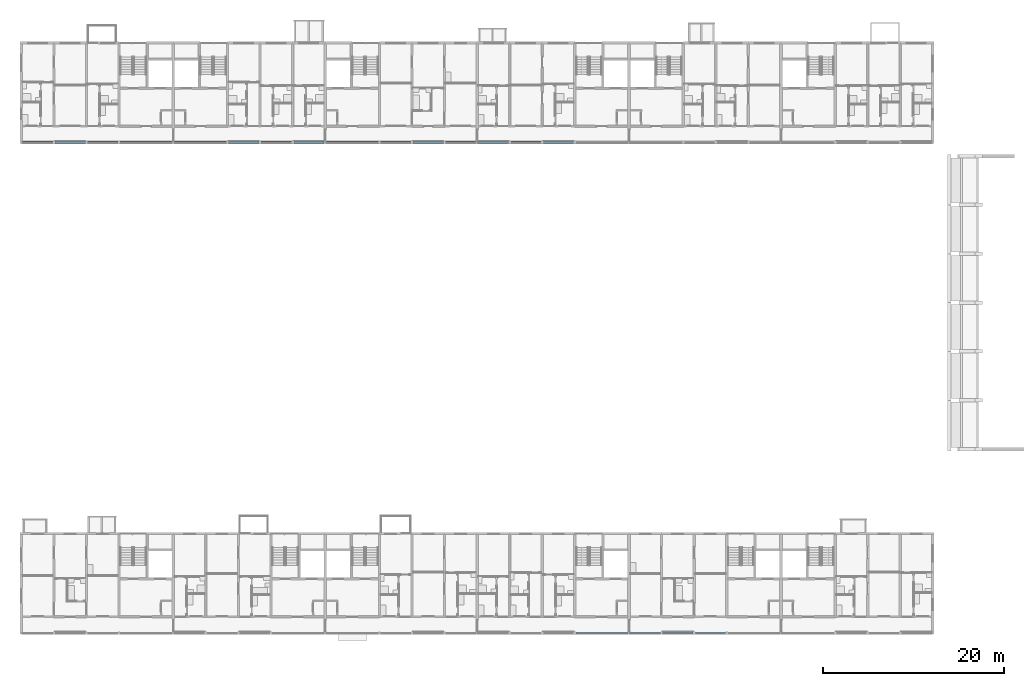
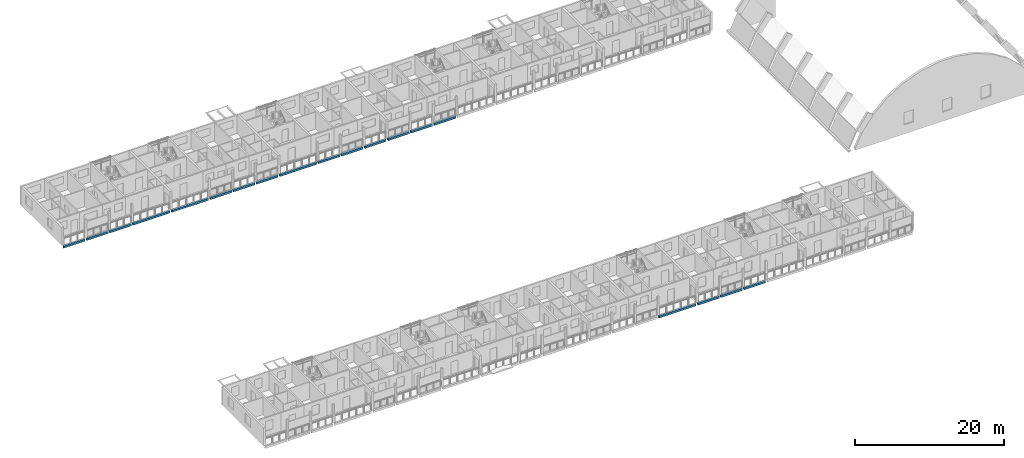
# One storey, part 8 of 100: 19 beams.
"""IFC4 building model written with IfcOpenShell, lengths in metres."""

from ifc_helpers import new_model, si_unit, direction, frame, origin, origin_2d, place, context, subcontext, project, spatial, rectangle, extrude, material, material_profile, profile_set, type_object, element, save


model = new_model("IFC4")

# Units and contexts
model_context = context("Model", 3, precision=1e-05, world=origin(), true_north=direction((0.0, 1.0)))
body_context = subcontext(model_context, "Body", "Model", "MODEL_VIEW")
ifc_project = project(units=[si_unit("LENGTHUNIT", "METRE"), si_unit("AREAUNIT", "SQUARE_METRE"), si_unit("VOLUMEUNIT", "CUBIC_METRE"), si_unit("PLANEANGLEUNIT", "RADIAN"), si_unit("MASSUNIT", "GRAM", prefix="KILO")], contexts=[model_context])

# Site, building, storey
site_placement = place(None, origin())
site = spatial("IfcSite", under=ifc_project, at=site_placement, CompositionType="ELEMENT")
building_placement = place(site_placement, origin())
building = spatial("IfcBuilding", under=site, at=building_placement, Name="Ridgestep Commons", CompositionType="ELEMENT")
storey_placement = place(building_placement, frame((0.0, 0.0, 9.0)))
storey = spatial("IfcBuildingStorey", under=building, at=storey_placement, Name="L03", CompositionType="ELEMENT", Elevation=9.0)

# Beams
ifc_material = material(Name="Precast concrete C40/50", Category="concrete")
ifc_material_profile = material_profile(ifc_material, rectangle(XDim=0.25, YDim=0.35009765625, at=origin_2d()), Name="PC 250x350")
ifc_profile_set = profile_set([ifc_material_profile], Name="Precast concrete C40/50")
beam_type = type_object("IfcBeamType", Name="Loggia edge beam 250 x 350", PredefinedType="SPANDREL", material=ifc_profile_set)
beam_1_placement = place(storey_placement, frame((73.324951171875, 11.875, -0.375), z_axis=(1.0, 0.0, 0.0), x_axis=(0.0, 1.0, 0.0)))
element("IfcBeam", 1, at=beam_1_placement, inside=storey, type_object=beam_type, Name="Loggia edge beam A4C L03", PredefinedType="SPANDREL", context=body_context, shape_type="SweptSolid", body=[
    extrude(rectangle(XDim=0.25, YDim=0.35009765625, at=origin_2d()), origin(), (0.0, 0.0, 1.0), 5.72509765625),
])
beam_2_placement = place(storey_placement, frame((79.35009765625, 11.875, -0.375), z_axis=(1.0, 0.0, 0.0), x_axis=(0.0, 1.0, 0.0)))
element("IfcBeam", 2, at=beam_2_placement, inside=storey, type_object=beam_type, Name="Loggia edge beam A5T1 L03", PredefinedType="SPANDREL", context=body_context, shape_type="SweptSolid", body=[
    extrude(rectangle(XDim=0.25, YDim=0.35009765625, at=origin_2d()), origin(), (0.0, 0.0, 1.0), 3.324951171875),
])
beam_3_placement = place(storey_placement, frame((82.925048828125, 11.875, -0.375), z_axis=(1.0, 0.0, 0.0), x_axis=(0.0, 1.0, 0.0)))
element("IfcBeam", 3, at=beam_3_placement, inside=storey, type_object=beam_type, Name="Loggia edge beam A5T2 L03", PredefinedType="SPANDREL", context=body_context, shape_type="SweptSolid", body=[
    extrude(rectangle(XDim=0.25, YDim=0.35009765625, at=origin_2d()), origin(), (0.0, 0.0, 1.0), 3.349853515625),
])
beam_4_placement = place(storey_placement, frame((86.52490234375, 11.875, -0.375), z_axis=(1.0, 0.0, 0.0), x_axis=(0.0, 1.0, 0.0)))
element("IfcBeam", 4, at=beam_4_placement, inside=storey, type_object=beam_type, Name="Loggia edge beam A5T3 L03", PredefinedType="SPANDREL", context=body_context, shape_type="SweptSolid", body=[
    extrude(rectangle(XDim=0.25, YDim=0.35009765625, at=origin_2d()), origin(), (0.0, 0.0, 1.0), 3.35009765625),
])
beam_5_placement = place(storey_placement, frame((12.14990234375, 66.125, -0.375), z_axis=(1.0, 0.0, 0.0), x_axis=(0.0, 1.0, 0.0)))
element("IfcBeam", 5, at=beam_5_placement, inside=storey, type_object=beam_type, Name="Loggia edge beam B1T1 L03", PredefinedType="SPANDREL", context=body_context, shape_type="SweptSolid", body=[
    extrude(rectangle(XDim=0.25, YDim=0.35009765625, at=origin_2d()), origin(), (0.0, 0.0, 1.0), 3.3251953125),
])
beam_6_placement = place(storey_placement, frame((15.72509765625, 66.125, -0.375), z_axis=(1.0, 0.0, 0.0), x_axis=(0.0, 1.0, 0.0)))
element("IfcBeam", 6, at=beam_6_placement, inside=storey, type_object=beam_type, Name="Loggia edge beam B1T2 L03", PredefinedType="SPANDREL", context=body_context, shape_type="SweptSolid", body=[
    extrude(rectangle(XDim=0.25, YDim=0.35009765625, at=origin_2d()), origin(), (0.0, 0.0, 1.0), 3.349853515625),
])
beam_7_placement = place(storey_placement, frame((19.324951171875, 66.125, -0.375), z_axis=(1.0, 0.0, 0.0), x_axis=(0.0, 1.0, 0.0)))
element("IfcBeam", 7, at=beam_7_placement, inside=storey, type_object=beam_type, Name="Loggia edge beam B1T3 L03", PredefinedType="SPANDREL", context=body_context, shape_type="SweptSolid", body=[
    extrude(rectangle(XDim=0.25, YDim=0.35009765625, at=origin_2d()), origin(), (0.0, 0.0, 1.0), 3.35009765625),
])
beam_8_placement = place(storey_placement, frame((22.925048828125, 66.125, -0.375), z_axis=(1.0, 0.0, 0.0), x_axis=(0.0, 1.0, 0.0)))
element("IfcBeam", 8, at=beam_8_placement, inside=storey, type_object=beam_type, Name="Loggia edge beam B1C L03", PredefinedType="SPANDREL", context=body_context, shape_type="SweptSolid", body=[
    extrude(rectangle(XDim=0.25, YDim=0.35009765625, at=origin_2d()), origin(), (0.0, 0.0, 1.0), 5.724853515625),
])
beam_9_placement = place(storey_placement, frame((28.949951171875, 66.125, -0.375), z_axis=(1.0, 0.0, 0.0), x_axis=(0.0, 1.0, 0.0)))
element("IfcBeam", 9, at=beam_9_placement, inside=storey, type_object=beam_type, Name="Loggia edge beam B2C L03", PredefinedType="SPANDREL", context=body_context, shape_type="SweptSolid", body=[
    extrude(rectangle(XDim=0.25, YDim=0.35009765625, at=origin_2d()), origin(), (0.0, 0.0, 1.0), 5.72509765625),
])
beam_10_placement = place(storey_placement, frame((34.925048828125, 66.125, -0.375), z_axis=(1.0, 0.0, 0.0), x_axis=(0.0, 1.0, 0.0)))
element("IfcBeam", 10, at=beam_10_placement, inside=storey, type_object=beam_type, Name="Loggia edge beam B2T3 L03", PredefinedType="SPANDREL", context=body_context, shape_type="SweptSolid", body=[
    extrude(rectangle(XDim=0.25, YDim=0.35009765625, at=origin_2d()), origin(), (0.0, 0.0, 1.0), 3.349853515625),
])
beam_11_placement = place(storey_placement, frame((38.52490234375, 66.125, -0.375), z_axis=(1.0, 0.0, 0.0), x_axis=(0.0, 1.0, 0.0)))
element("IfcBeam", 11, at=beam_11_placement, inside=storey, type_object=beam_type, Name="Loggia edge beam B2T2 L03", PredefinedType="SPANDREL", context=body_context, shape_type="SweptSolid", body=[
    extrude(rectangle(XDim=0.25, YDim=0.35009765625, at=origin_2d()), origin(), (0.0, 0.0, 1.0), 3.35009765625),
])
beam_12_placement = place(storey_placement, frame((42.125, 66.125, -0.375), z_axis=(1.0, 0.0, 0.0), x_axis=(0.0, 1.0, 0.0)))
element("IfcBeam", 12, at=beam_12_placement, inside=storey, type_object=beam_type, Name="Loggia edge beam B2T1 L03", PredefinedType="SPANDREL", context=body_context, shape_type="SweptSolid", body=[
    extrude(rectangle(XDim=0.25, YDim=0.35009765625, at=origin_2d()), origin(), (0.0, 0.0, 1.0), 3.324951171875),
])
beam_13_placement = place(storey_placement, frame((45.75, 66.125, -0.375), z_axis=(1.0, 0.0, 0.0), x_axis=(0.0, 1.0, 0.0)))
element("IfcBeam", 13, at=beam_13_placement, inside=storey, type_object=beam_type, Name="Loggia edge beam B3C L03", PredefinedType="SPANDREL", context=body_context, shape_type="SweptSolid", body=[
    extrude(rectangle(XDim=0.25, YDim=0.35009765625, at=origin_2d()), origin(), (0.0, 0.0, 1.0), 5.72509765625),
])
beam_14_placement = place(storey_placement, frame((51.72509765625, 66.125, -0.375), z_axis=(1.0, 0.0, 0.0), x_axis=(0.0, 1.0, 0.0)))
element("IfcBeam", 14, at=beam_14_placement, inside=storey, type_object=beam_type, Name="Loggia edge beam B3T3 L03", PredefinedType="SPANDREL", context=body_context, shape_type="SweptSolid", body=[
    extrude(rectangle(XDim=0.25, YDim=0.35009765625, at=origin_2d()), origin(), (0.0, 0.0, 1.0), 3.349853515625),
])
beam_15_placement = place(storey_placement, frame((55.324951171875, 66.125, -0.375), z_axis=(1.0, 0.0, 0.0), x_axis=(0.0, 1.0, 0.0)))
element("IfcBeam", 15, at=beam_15_placement, inside=storey, type_object=beam_type, Name="Loggia edge beam B3T2 L03", PredefinedType="SPANDREL", context=body_context, shape_type="SweptSolid", body=[
    extrude(rectangle(XDim=0.25, YDim=0.35009765625, at=origin_2d()), origin(), (0.0, 0.0, 1.0), 3.35009765625),
])
for number, where, z_axis, x_axis, name in (
    (16, (58.925048828125, 66.125, -0.375), (1.0, 0.0, 0.0), (0.0, 1.0, 0.0), "Loggia edge beam B3T1 L03"),
    (17, (62.550048828125, 66.125, -0.375), (1.0, 0.0, 0.0), (0.0, 1.0, 0.0), "Loggia edge beam B4T1 L03"),
):
    element("IfcBeam", number, at=place(storey_placement, frame(where, z_axis=z_axis, x_axis=x_axis)), inside=storey, type_object=beam_type, Name=name, PredefinedType="SPANDREL", context=body_context, shape_type="SweptSolid", body=[
        extrude(rectangle(XDim=0.25, YDim=0.35009765625, at=origin_2d()), origin(), (0.0, 0.0, 1.0), 3.324951171875),
    ])
beam_16_placement = place(storey_placement, frame((66.125, 66.125, -0.375), z_axis=(1.0, 0.0, 0.0), x_axis=(0.0, 1.0, 0.0)))
element("IfcBeam", 18, at=beam_16_placement, inside=storey, type_object=beam_type, Name="Loggia edge beam B4T2 L03", PredefinedType="SPANDREL", context=body_context, shape_type="SweptSolid", body=[
    extrude(rectangle(XDim=0.25, YDim=0.35009765625, at=origin_2d()), origin(), (0.0, 0.0, 1.0), 3.35009765625),
])
beam_17_placement = place(storey_placement, frame((69.72509765625, 66.125, -0.375), z_axis=(1.0, 0.0, 0.0), x_axis=(0.0, 1.0, 0.0)))
element("IfcBeam", 19, at=beam_17_placement, inside=storey, type_object=beam_type, Name="Loggia edge beam B4T3 L03", PredefinedType="SPANDREL", context=body_context, shape_type="SweptSolid", body=[
    extrude(rectangle(XDim=0.25, YDim=0.35009765625, at=origin_2d()), origin(), (0.0, 0.0, 1.0), 3.349853515625),
])

save(model, "model.ifc")
